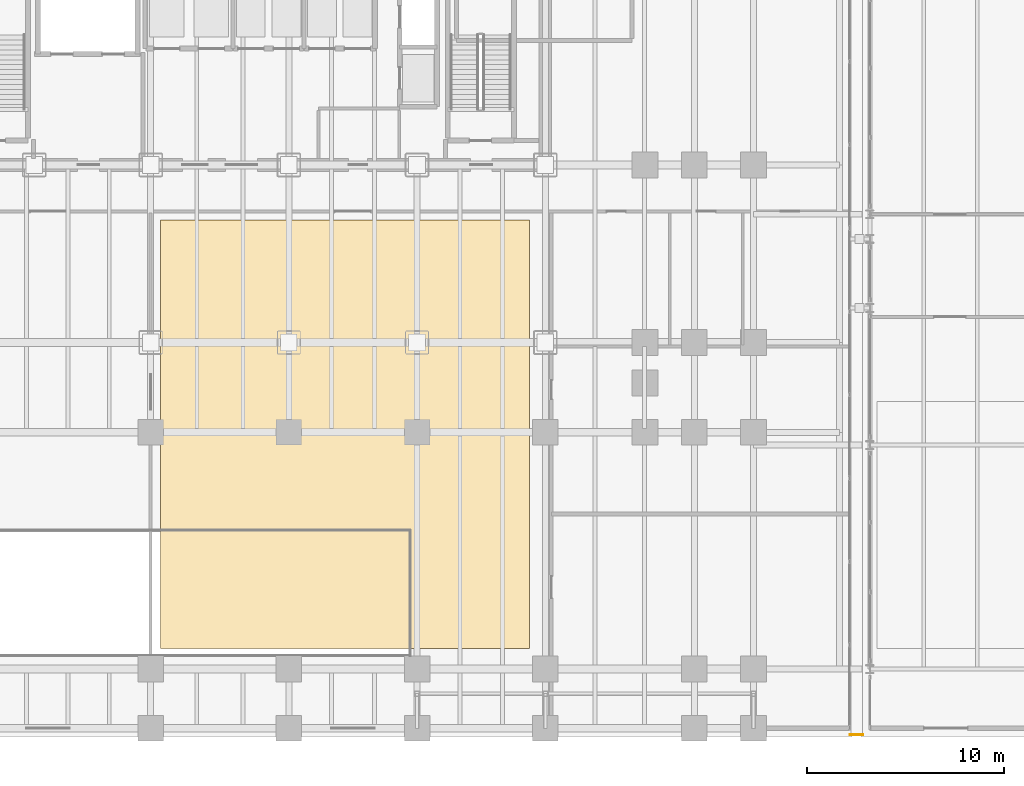
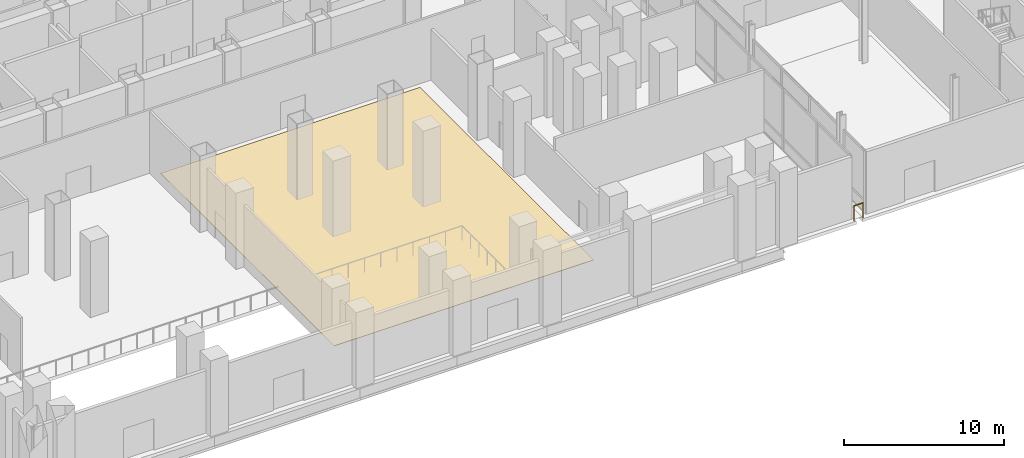
# One storey, part 29 of 36: 1 covering, 1 railing.
"""IFC4 building model written with IfcOpenShell, lengths in metres."""

from ifc_helpers import new_model, si_unit, direction, frame, origin, origin_2d, place, context, subcontext, project, spatial, polyline, circle, outline, extrude, material, layer, layer_set, type_object, element, save


model = new_model("IFC4")

# Units and contexts
model_context = context("Model", 3, precision=1e-05, world=origin(), true_north=direction((0.0, 1.0)))
body_context = subcontext(model_context, "Body", "Model", "MODEL_VIEW")
ifc_project = project(units=[si_unit("LENGTHUNIT", "METRE"), si_unit("AREAUNIT", "SQUARE_METRE"), si_unit("VOLUMEUNIT", "CUBIC_METRE"), si_unit("PLANEANGLEUNIT", "RADIAN"), si_unit("MASSUNIT", "GRAM", prefix="KILO")], contexts=[model_context])

# Site, building, storey
site_placement = place(None, origin())
site = spatial("IfcSite", under=ifc_project, at=site_placement, CompositionType="ELEMENT")
building_placement = place(site_placement, origin())
building = spatial("IfcBuilding", under=site, at=building_placement, Name="Noeulbin Bourse Tower", CompositionType="ELEMENT")
storey_placement = place(building_placement, origin())
storey = spatial("IfcBuildingStorey", under=building, at=storey_placement, Name="L01", CompositionType="ELEMENT", Elevation=0.0)

# Covering
ifc_material_1 = material(Name="Honed Geumjeong Granite Paving", Category="masonry")
ifc_layer_1 = layer(ifc_material_1, 0.030029296875)
ifc_layer_set_1 = layer_set([ifc_layer_1], Name="Honed Geumjeong Granite Paving")
covering_type = type_object("IfcCoveringType", Name="COV-FLR-STN", PredefinedType="FLOORING", material=ifc_layer_set_1)
covering_placement = place(storey_placement, origin())
element("IfcCovering", 1, at=covering_placement, inside=storey, type_object=covering_type, Name="Granite Concourse Flooring L01", PredefinedType="FLOORING", context=body_context, shape_type="SweptSolid", body=[
    extrude(outline(polyline([(24.5, 4.5), (43.199951171875, 4.5), (43.199951171875, 26.199951171875), (24.5, 26.199951171875), (24.5, 4.5)])), origin(), (0.0, 0.0, 1.0), 0.030029296875),
])

# Railing
ifc_material_2 = material(Name="Galvanised Tubular Steel S355", Category="steel")
ifc_layer_2 = layer(ifc_material_2, 0.06005859375)
ifc_layer_set_2 = layer_set([ifc_layer_2], Name="Galvanised Tubular Steel S355")
railing_type = type_object("IfcRailingType", Name="RLG-RMP-1100", PredefinedType="GUARDRAIL", material=ifc_layer_set_2)
railing_placement = place(storey_placement, frame((59.449951171875, 0.1201171875, 0.0)))
element("IfcRailing", 2, at=railing_placement, inside=storey, type_object=railing_type, Name="Seismic Joint Edge Guard L01-S", PredefinedType="GUARDRAIL", context=body_context, shape_type="SweptSolid", body=[
    extrude(circle(Radius=0.02392578125, at=origin_2d()), frame((0.0, 0.0, 1.1259765625), z_axis=(1.0, 0.0, 0.0), x_axis=(0.0, 1.0, 0.0)), (0.0, 0.0, 1.0), 0.650146484375),
    extrude(circle(Radius=0.02099609375, at=origin_2d()), origin(), (0.0, 0.0, 1.0), 1.101806640625),
    extrude(circle(Radius=0.02099609375, at=origin_2d()), frame((0.650146484375, 0.0, 0.0)), (0.0, 0.0, 1.0), 1.101806640625),
])

save(model, "model.ifc")
